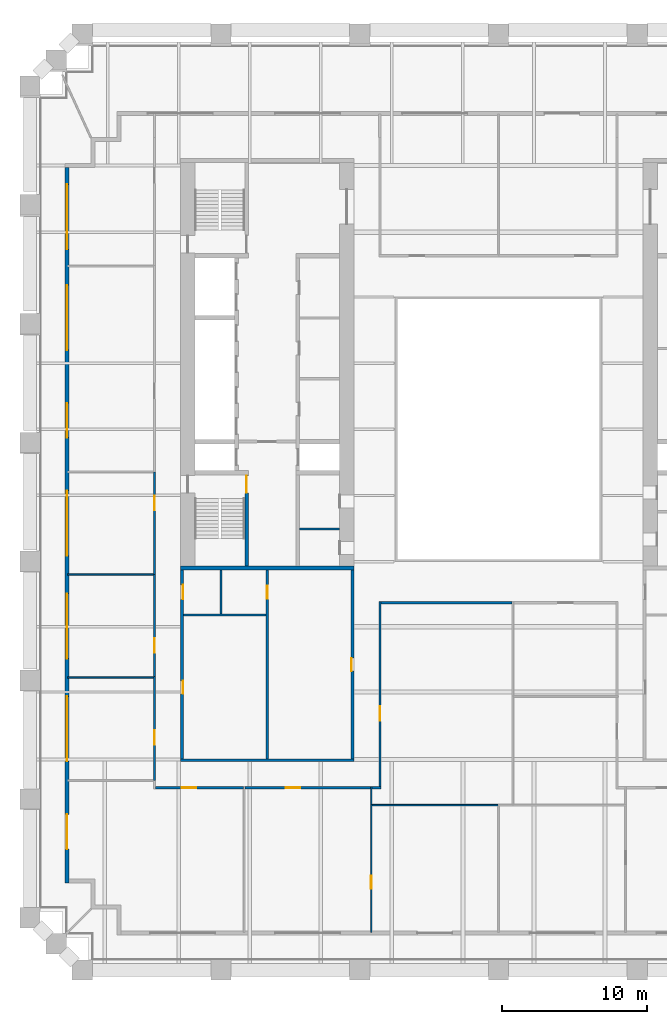
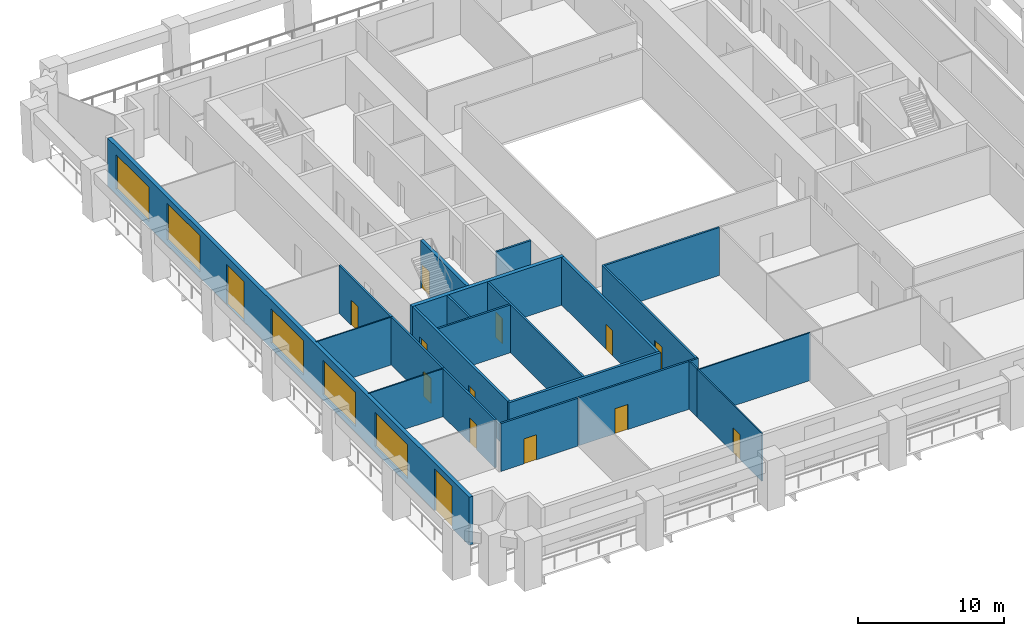
# One storey, part 3 of 10: 23 walls, 14 doors, 5 windows, 19 openings.
"""IFC4 building model written with IfcOpenShell, lengths in metres."""

from ifc_helpers import new_model, si_unit, direction, frame, frame_2d, origin, place, context, subcontext, project, spatial, rectangle, extrude, material, layer, layer_set, type_object, element, fill, save


model = new_model("IFC4")

# Units and contexts
model_context = context("Model", 3, precision=1e-05, world=origin(), true_north=direction((0.0, 1.0)))
body_context = subcontext(model_context, "Body", "Model", "MODEL_VIEW")
ifc_project = project(units=[si_unit("LENGTHUNIT", "METRE"), si_unit("AREAUNIT", "SQUARE_METRE"), si_unit("VOLUMEUNIT", "CUBIC_METRE"), si_unit("PLANEANGLEUNIT", "RADIAN"), si_unit("MASSUNIT", "GRAM", prefix="KILO")], contexts=[model_context])

# Site, building, storey
site_placement = place(None, origin())
site = spatial("IfcSite", under=ifc_project, at=site_placement, CompositionType="ELEMENT")
building_placement = place(site_placement, origin())
building = spatial("IfcBuilding", under=site, at=building_placement, Name="Ogive Exchange Tower", CompositionType="ELEMENT")
storey_placement = place(building_placement, frame((0.0, 0.0, 64.800048828125)))
storey = spatial("IfcBuildingStorey", under=building, at=storey_placement, Name="L13", CompositionType="ELEMENT", Elevation=64.800048828125)

# Wall
ifc_material_1 = material(Name="Gypsum board partition")
ifc_layer_1 = layer(ifc_material_1, 0.14990234375)
ifc_layer_set_1 = layer_set([ifc_layer_1], Name="Core room partition 150 gypsum")
wall_type_1 = type_object("IfcWallType", Name="Core room partition 150 gypsum", PredefinedType="PARTITIONING", material=ifc_layer_set_1)
wall_1_placement = place(storey_placement, frame((-13.75, 0.10009765625, 0.0), z_axis=(0.0, 0.0, 1.0), x_axis=(1.0, 0.0, 0.0)))
element("IfcWall", 1, at=wall_1_placement, inside=storey, type_object=wall_type_1, Name="W south room partition", PredefinedType="PARTITIONING", context=body_context, shape_type="SweptSolid", body=[
    extrude(rectangle(XDim=2.75, YDim=0.14990234375, at=frame_2d((1.375, 0.0))), origin(), (0.0, 0.0, 1.0), 4.0),
])

# Wall, opening, door
wall_2_placement = place(storey_placement, frame((-16.0, -15.800048828125, 0.0), z_axis=(0.0, 0.0, 1.0), x_axis=(0.0, 1.0, 0.0)))
wall_2 = element("IfcWall", 2, at=wall_2_placement, inside=storey, type_object=wall_type_1, Name="W annex S column wall", PredefinedType="PARTITIONING", context=body_context, shape_type="SweptSolid", body=[
    extrude(rectangle(XDim=13.050048828125, YDim=0.14990234375, at=frame_2d((6.52490234375, 0.0))), origin(), (0.0, 0.0, 1.0), 4.0),
])
opening_1_placement = place(wall_2_placement, frame((11.08740234375, 0.0, 0.0)))
opening_1 = element("IfcOpeningElement", 3, at=opening_1_placement, cuts=wall_2, Name="Opening L13-C22", PredefinedType="OPENING", context=body_context, shape_type="SweptSolid", body=[
    extrude(rectangle(XDim=0.89990234375, YDim=2.10009765625, at=frame_2d((0.449951171875, 1.050048828125))), frame((0.0, 0.0849609375, 0.0), z_axis=(0.0, -1.0, 0.0), x_axis=(1.0, 0.0, 0.0)), (0.0, 0.0, 1.0), 0.169921875),
])
ifc_material_2 = material(Name="Timber fire door", Category="wood")
door_type_1 = type_object("IfcDoorType", Name="Core room door FD30S 900 x 2100", OperationType="NOTDEFINED", PredefinedType="DOOR", material=ifc_material_2)
door_1_placement = place(opening_1_placement, origin())
door_1 = element("IfcDoor", 4, at=door_1_placement, inside=storey, type_object=door_type_1, Name="Core room door", ObjectType="CD6", OperationType="SINGLE_SWING_RIGHT", OverallHeight=2.10009765625, OverallWidth=0.89990234375, PredefinedType="DOOR", context=body_context, shape_type="SweptSolid", body=[
    extrude(rectangle(XDim=0.89990234375, YDim=2.10009765625, at=frame_2d((0.449951171875, 1.050048828125))), frame((0.0, 0.02490234375, 0.0), z_axis=(0.0, -1.0, 0.0), x_axis=(1.0, 0.0, 0.0)), (0.0, 0.0, 1.0), 0.050048828125),
])
fill(opening_1, door_1)

# Walls
wall_3_placement = place(storey_placement, frame((-21.800048828125, -5.85009765625, 0.0), z_axis=(0.0, 0.0, 1.0), x_axis=(1.0, 0.0, 0.0)))
element("IfcWall", 5, at=wall_3_placement, inside=storey, type_object=wall_type_1, Name="W annex S wc strip wall 00", PredefinedType="PARTITIONING", context=body_context, shape_type="SweptSolid", body=[
    extrude(rectangle(XDim=5.72509765625, YDim=0.14990234375, at=frame_2d((2.862548828125, 0.0))), origin(), (0.0, 0.0, 1.0), 4.0),
])
wall_4_placement = place(storey_placement, frame((-19.199951171875, -5.77490234375, 0.0), z_axis=(0.0, 0.0, 1.0), x_axis=(0.0, 1.0, 0.0)))
element("IfcWall", 6, at=wall_4_placement, inside=storey, type_object=wall_type_1, Name="W annex S wc partition 00", PredefinedType="PARTITIONING", context=body_context, shape_type="SweptSolid", body=[
    extrude(rectangle(XDim=3.02490234375, YDim=0.14990234375, at=frame_2d((1.512451171875, 0.0))), origin(), (0.0, 0.0, 1.0), 4.0),
])

# Wall, opening, door
ifc_material_3 = material(Name="Fire partition EI 60 150")
ifc_layer_2 = layer(ifc_material_3, 0.14990234375)
ifc_layer_set_2 = layer_set([ifc_layer_2], Name="Fire partition EI 60 150")
wall_type_2 = type_object("IfcWallType", Name="Fire partition EI 60 150", PredefinedType="PARTITIONING", material=ifc_layer_set_2)
wall_5_placement = place(storey_placement, frame((-23.800048828125, -17.2900390625, 0.0), z_axis=(0.0, 0.0, 1.0), x_axis=(0.0, 1.0, 0.0)))
wall_5 = element("IfcWall", 7, at=wall_5_placement, inside=storey, type_object=wall_type_2, Name="L13-PWL-003", PredefinedType="PARTITIONING", context=body_context, shape_type="SweptSolid", body=[
    extrude(rectangle(XDim=7.169921875, YDim=0.14990234375, at=frame_2d((3.5849609375, 0.0))), origin(), (0.0, 0.0, 1.0), 4.0),
])
opening_2_placement = place(wall_5_placement, frame((2.469970703125, 0.0, 0.0)))
opening_2 = element("IfcOpeningElement", 8, at=opening_2_placement, cuts=wall_5, Name="Opening L13-I17", PredefinedType="OPENING", context=body_context, shape_type="SweptSolid", body=[
    extrude(rectangle(XDim=1.0, YDim=2.10009765625, at=frame_2d((0.5, 1.050048828125))), frame((0.0, 0.0849609375, 0.0), z_axis=(0.0, -1.0, 0.0), x_axis=(1.0, 0.0, 0.0)), (0.0, 0.0, 1.0), 0.169921875),
])
ifc_material_4 = material(Name="Fire door FD 30S 1000 x 2100")
door_type_2 = type_object("IfcDoorType", Name="Fire door FD 30S 1000 x 2100", OperationType="NOTDEFINED", PredefinedType="DOOR", material=ifc_material_4)
door_2_placement = place(opening_2_placement, origin())
door_2 = element("IfcDoor", 9, at=door_2_placement, inside=storey, type_object=door_type_2, Name="L13-IDR-017", ObjectType="DT3", OperationType="SINGLE_SWING_RIGHT", OverallHeight=2.10009765625, OverallWidth=1.0, PredefinedType="DOOR", context=body_context, shape_type="SweptSolid", body=[
    extrude(rectangle(XDim=1.0, YDim=2.10009765625, at=frame_2d((0.5, 1.050048828125))), frame((0.0, 0.02490234375, 0.0), z_axis=(0.0, -1.0, 0.0), x_axis=(1.0, 0.0, 0.0)), (0.0, 0.0, 1.0), 0.050048828125),
])
fill(opening_2, door_2)

wall_6_placement = place(storey_placement, frame((-23.800048828125, -10.1201171875, 0.0), z_axis=(0.0, 0.0, 1.0), x_axis=(0.0, 1.0, 0.0)))
wall_6 = element("IfcWall", 10, at=wall_6_placement, inside=storey, type_object=wall_type_2, Name="L13-PWL-005", PredefinedType="PARTITIONING", context=body_context, shape_type="SweptSolid", body=[
    extrude(rectangle(XDim=7.06005859375, YDim=0.14990234375, at=frame_2d((3.530029296875, 0.0))), origin(), (0.0, 0.0, 1.0), 4.0),
])
opening_3_placement = place(wall_6_placement, frame((1.659912109375, 0.0, 0.0)))
opening_3 = element("IfcOpeningElement", 11, at=opening_3_placement, cuts=wall_6, Name="Opening L13-I15", PredefinedType="OPENING", context=body_context, shape_type="SweptSolid", body=[
    extrude(rectangle(XDim=1.0, YDim=2.10009765625, at=frame_2d((0.5, 1.050048828125))), frame((0.0, 0.0849609375, 0.0), z_axis=(0.0, -1.0, 0.0), x_axis=(1.0, 0.0, 0.0)), (0.0, 0.0, 1.0), 0.169921875),
])
door_3_placement = place(opening_3_placement, origin())
door_3 = element("IfcDoor", 12, at=door_3_placement, inside=storey, type_object=door_type_2, Name="L13-IDR-015", ObjectType="DT3", OperationType="SINGLE_SWING_RIGHT", OverallHeight=2.10009765625, OverallWidth=1.0, PredefinedType="DOOR", context=body_context, shape_type="SweptSolid", body=[
    extrude(rectangle(XDim=1.0, YDim=2.10009765625, at=frame_2d((0.5, 1.050048828125))), frame((0.0, 0.02490234375, 0.0), z_axis=(0.0, -1.0, 0.0), x_axis=(1.0, 0.0, 0.0)), (0.0, 0.0, 1.0), 0.050048828125),
])
fill(opening_3, door_3)

wall_7_placement = place(storey_placement, frame((-23.800048828125, -3.06005859375, 0.0), z_axis=(0.0, 0.0, 1.0), x_axis=(0.0, 1.0, 0.0)))
wall_7 = element("IfcWall", 13, at=wall_7_placement, inside=storey, type_object=wall_type_2, Name="L13-PWL-007", PredefinedType="PARTITIONING", context=body_context, shape_type="SweptSolid", body=[
    extrude(rectangle(XDim=7.1201171875, YDim=0.14990234375, at=frame_2d((3.56005859375, 0.0))), origin(), (0.0, 0.0, 1.0), 4.0),
])
opening_4_placement = place(wall_7_placement, frame((4.469970703125, 0.0, 0.0)))
opening_4 = element("IfcOpeningElement", 14, at=opening_4_placement, cuts=wall_7, Name="Opening L13-I14", PredefinedType="OPENING", context=body_context, shape_type="SweptSolid", body=[
    extrude(rectangle(XDim=1.0, YDim=2.10009765625, at=frame_2d((0.5, 1.050048828125))), frame((0.0, 0.0849609375, 0.0), z_axis=(0.0, -1.0, 0.0), x_axis=(1.0, 0.0, 0.0)), (0.0, 0.0, 1.0), 0.169921875),
])
door_4_placement = place(opening_4_placement, origin())
door_4 = element("IfcDoor", 15, at=door_4_placement, inside=storey, type_object=door_type_2, Name="L13-IDR-014", ObjectType="DT3", OperationType="SINGLE_SWING_LEFT", OverallHeight=2.10009765625, OverallWidth=1.0, PredefinedType="DOOR", context=body_context, shape_type="SweptSolid", body=[
    extrude(rectangle(XDim=1.0, YDim=2.10009765625, at=frame_2d((0.5, 1.050048828125))), frame((0.0, 0.02490234375, 0.0), z_axis=(0.0, -1.0, 0.0), x_axis=(1.0, 0.0, 0.0)), (0.0, 0.0, 1.0), 0.050048828125),
])
fill(opening_4, door_4)

wall_8_placement = place(storey_placement, frame((-17.64990234375, -17.800048828125, 0.0), z_axis=(0.0, 0.0, 1.0), x_axis=(-1.0, 0.0, 0.0)))
wall_8 = element("IfcWall", 16, at=wall_8_placement, inside=storey, type_object=wall_type_2, Name="L13-PWL-014", PredefinedType="PARTITIONING", context=body_context, shape_type="SweptSolid", body=[
    extrude(rectangle(XDim=6.0751953125, YDim=0.14990234375, at=frame_2d((3.03759765625, 0.0))), origin(), (0.0, 0.0, 1.0), 4.0),
])
opening_5_placement = place(wall_8_placement, frame((3.25, 0.0, 0.0)))
opening_5 = element("IfcOpeningElement", 17, at=opening_5_placement, cuts=wall_8, Name="Opening L13-I18", PredefinedType="OPENING", context=body_context, shape_type="SweptSolid", body=[
    extrude(rectangle(XDim=1.0, YDim=2.10009765625, at=frame_2d((0.5, 1.050048828125))), frame((0.0, 0.0849609375, 0.0), z_axis=(0.0, -1.0, 0.0), x_axis=(1.0, 0.0, 0.0)), (0.0, 0.0, 1.0), 0.169921875),
])
door_5_placement = place(opening_5_placement, origin())
door_5 = element("IfcDoor", 18, at=door_5_placement, inside=storey, type_object=door_type_2, Name="L13-IDR-018", ObjectType="DT3", OperationType="SINGLE_SWING_RIGHT", OverallHeight=2.10009765625, OverallWidth=1.0, PredefinedType="DOOR", context=body_context, shape_type="SweptSolid", body=[
    extrude(rectangle(XDim=1.0, YDim=2.10009765625, at=frame_2d((0.5, 1.050048828125))), frame((0.0, 0.02490234375, 0.0), z_axis=(0.0, -1.0, 0.0), x_axis=(1.0, 0.0, 0.0)), (0.0, 0.0, 1.0), 0.050048828125),
])
fill(opening_5, door_5)

wall_9_placement = place(storey_placement, frame((-8.85009765625, -17.800048828125, 0.0), z_axis=(0.0, 0.0, 1.0), x_axis=(-1.0, 0.0, 0.0)))
wall_9 = element("IfcWall", 19, at=wall_9_placement, inside=storey, type_object=wall_type_2, Name="L13-PWL-018", PredefinedType="PARTITIONING", context=body_context, shape_type="SweptSolid", body=[
    extrude(rectangle(XDim=8.699951171875, YDim=0.14990234375, at=frame_2d((4.35009765625, 0.0))), origin(), (0.0, 0.0, 1.0), 4.0),
])
opening_6_placement = place(wall_9_placement, frame((4.85009765625, 0.0, 0.0)))
opening_6 = element("IfcOpeningElement", 20, at=opening_6_placement, cuts=wall_9, Name="Opening L13-I16", PredefinedType="OPENING", context=body_context, shape_type="SweptSolid", body=[
    extrude(rectangle(XDim=1.0, YDim=2.10009765625, at=frame_2d((0.5, 1.050048828125))), frame((0.0, 0.0849609375, 0.0), z_axis=(0.0, -1.0, 0.0), x_axis=(1.0, 0.0, 0.0)), (0.0, 0.0, 1.0), 0.169921875),
])
door_6_placement = place(opening_6_placement, origin())
door_6 = element("IfcDoor", 21, at=door_6_placement, inside=storey, type_object=door_type_2, Name="L13-IDR-016", ObjectType="DT3", OperationType="SINGLE_SWING_LEFT", OverallHeight=2.10009765625, OverallWidth=1.0, PredefinedType="DOOR", context=body_context, shape_type="SweptSolid", body=[
    extrude(rectangle(XDim=1.0, YDim=2.10009765625, at=frame_2d((0.5, 1.050048828125))), frame((0.0, 0.02490234375, 0.0), z_axis=(0.0, -1.0, 0.0), x_axis=(1.0, 0.0, 0.0)), (0.0, 0.0, 1.0), 0.050048828125),
])
fill(opening_6, door_6)

# Wall
wall_10_placement = place(storey_placement, frame((-8.125, -17.800048828125, 0.0), z_axis=(0.0, 0.0, 1.0), x_axis=(-1.0, 0.0, 0.0)))
element("IfcWall", 22, at=wall_10_placement, inside=storey, type_object=wall_type_2, Name="L13-PWL-020", PredefinedType="PARTITIONING", context=body_context, shape_type="SweptSolid", body=[
    extrude(rectangle(XDim=0.625, YDim=0.14990234375, at=frame_2d((0.3125, 0.0))), origin(), (0.0, 0.0, 1.0), 4.0),
])

# Wall, opening, door
wall_11_placement = place(storey_placement, frame((-8.199951171875, -4.925048828125, 0.0), z_axis=(0.0, 0.0, 1.0), x_axis=(0.0, -1.0, 0.0)))
wall_11 = element("IfcWall", 23, at=wall_11_placement, inside=storey, type_object=wall_type_2, Name="L13-PWL-021", PredefinedType="PARTITIONING", context=body_context, shape_type="SweptSolid", body=[
    extrude(rectangle(XDim=12.800048828125, YDim=0.14990234375, at=frame_2d((6.39990234375, 0.0))), origin(), (0.0, 0.0, 1.0), 4.0),
])
opening_7_placement = place(wall_11_placement, frame((7.22509765625, 0.0, 0.0)))
opening_7 = element("IfcOpeningElement", 24, at=opening_7_placement, cuts=wall_11, Name="Opening L13-I09", PredefinedType="OPENING", context=body_context, shape_type="SweptSolid", body=[
    extrude(rectangle(XDim=1.0, YDim=2.10009765625, at=frame_2d((0.5, 1.050048828125))), frame((0.0, 0.0849609375, 0.0), z_axis=(0.0, -1.0, 0.0), x_axis=(1.0, 0.0, 0.0)), (0.0, 0.0, 1.0), 0.169921875),
])
door_7_placement = place(opening_7_placement, origin())
door_7 = element("IfcDoor", 25, at=door_7_placement, inside=storey, type_object=door_type_2, Name="L13-IDR-009", ObjectType="DT3", OperationType="SINGLE_SWING_RIGHT", OverallHeight=2.10009765625, OverallWidth=1.0, PredefinedType="DOOR", context=body_context, shape_type="SweptSolid", body=[
    extrude(rectangle(XDim=1.0, YDim=2.10009765625, at=frame_2d((0.5, 1.050048828125))), frame((0.0, 0.02490234375, 0.0), z_axis=(0.0, -1.0, 0.0), x_axis=(1.0, 0.0, 0.0)), (0.0, 0.0, 1.0), 0.050048828125),
])
fill(opening_7, door_7)

# Wall
wall_12_placement = place(storey_placement, frame((0.949951171875, -5.0, 0.0), z_axis=(0.0, 0.0, 1.0), x_axis=(-1.0, 0.0, 0.0)))
element("IfcWall", 26, at=wall_12_placement, inside=storey, type_object=wall_type_2, Name="L13-PWL-032", PredefinedType="PARTITIONING", context=body_context, shape_type="SweptSolid", body=[
    extrude(rectangle(XDim=9.074951171875, YDim=0.14990234375, at=frame_2d((4.53759765625, 0.0))), origin(), (0.0, 0.0, 1.0), 4.0),
])

# Wall, openings, doors, windows
ifc_material_5 = material(Name="Precast concrete C40/50", Category="concrete")
ifc_layer_3 = layer(ifc_material_5, 0.300048828125)
ifc_layer_set_3 = layer_set([ifc_layer_3], Name="Limestone-faced wall 300")
wall_type_3 = type_object("IfcWallType", Name="Limestone-faced wall 300", PredefinedType="STANDARD", material=ifc_layer_set_3)
wall_13_placement = place(storey_placement, frame((-29.85009765625, 25.10009765625, 0.0), z_axis=(0.0, 0.0, 1.0), x_axis=(0.0, -1.0, 0.0)))
wall_13 = element("IfcWall", 27, at=wall_13_placement, inside=storey, type_object=wall_type_3, Name="External wall W4", PredefinedType="STANDARD", context=body_context, shape_type="SweptSolid", body=[
    extrude(rectangle(XDim=49.5, YDim=0.300048828125, at=frame_2d((24.75, 0.0))), origin(), (0.0, 0.0, 1.0), 4.0),
])
opening_8_placement = place(wall_13_placement, frame((1.156982421875, 0.0, 0.449951171875)))
opening_8 = element("IfcOpeningElement", 28, at=opening_8_placement, cuts=wall_13, Name="Opening W1D", PredefinedType="OPENING", context=body_context, shape_type="SweptSolid", body=[
    extrude(rectangle(XDim=4.5, YDim=2.875, at=frame_2d((2.25, 1.4375))), frame((0.0, 0.159912109375, 0.0), z_axis=(0.0, -1.0, 0.0), x_axis=(1.0, 0.0, 0.0)), (0.0, 0.0, 1.0), 0.320068359375),
])
opening_9_placement = place(wall_13_placement, frame((8.121337890625, 0.0, 0.449951171875)))
opening_9 = element("IfcOpeningElement", 29, at=opening_9_placement, cuts=wall_13, Name="Opening W1", PredefinedType="OPENING", context=body_context, shape_type="SweptSolid", body=[
    extrude(rectangle(XDim=4.5, YDim=3.050048828125, at=frame_2d((2.25, 1.52490234375))), frame((0.0, 0.159912109375, 0.0), z_axis=(0.0, -1.0, 0.0), x_axis=(1.0, 0.0, 0.0)), (0.0, 0.0, 1.0), 0.320068359375),
])
opening_10_placement = place(wall_13_placement, frame((16.28564453125, 0.0, 0.0)))
opening_10 = element("IfcOpeningElement", 30, at=opening_10_placement, cuts=wall_13, Name="Opening D1C", PredefinedType="OPENING", context=body_context, shape_type="SweptSolid", body=[
    extrude(rectangle(XDim=2.39990234375, YDim=3.324951171875, at=frame_2d((1.199951171875, 1.66259765625))), frame((0.0, 0.159912109375, 0.0), z_axis=(0.0, -1.0, 0.0), x_axis=(1.0, 0.0, 0.0)), (0.0, 0.0, 1.0), 0.320068359375),
])
opening_11_placement = place(wall_13_placement, frame((22.35009765625, 0.0, 0.449951171875)))
opening_11 = element("IfcOpeningElement", 31, at=opening_11_placement, cuts=wall_13, Name="Opening W1D", PredefinedType="OPENING", context=body_context, shape_type="SweptSolid", body=[
    extrude(rectangle(XDim=4.5, YDim=2.875, at=frame_2d((2.25, 1.4375))), frame((0.0, 0.159912109375, 0.0), z_axis=(0.0, -1.0, 0.0), x_axis=(1.0, 0.0, 0.0)), (0.0, 0.0, 1.0), 0.320068359375),
])
opening_12_placement = place(wall_13_placement, frame((29.464111328125, 0.0, 0.449951171875)))
opening_12 = element("IfcOpeningElement", 32, at=opening_12_placement, cuts=wall_13, Name="Opening W1D", PredefinedType="OPENING", context=body_context, shape_type="SweptSolid", body=[
    extrude(rectangle(XDim=4.5, YDim=2.875, at=frame_2d((2.25, 1.4375))), frame((0.0, 0.159912109375, 0.0), z_axis=(0.0, -1.0, 0.0), x_axis=(1.0, 0.0, 0.0)), (0.0, 0.0, 1.0), 0.320068359375),
])
opening_13_placement = place(wall_13_placement, frame((36.57861328125, 0.0, 0.449951171875)))
opening_13 = element("IfcOpeningElement", 33, at=opening_13_placement, cuts=wall_13, Name="Opening W1E", PredefinedType="OPENING", context=body_context, shape_type="SweptSolid", body=[
    extrude(rectangle(XDim=4.5, YDim=2.824951171875, at=frame_2d((2.25, 1.41259765625))), frame((0.0, 0.159912109375, 0.0), z_axis=(0.0, -1.0, 0.0), x_axis=(1.0, 0.0, 0.0)), (0.0, 0.0, 1.0), 0.320068359375),
])
opening_14_placement = place(wall_13_placement, frame((44.742919921875, 0.0, 0.0)))
opening_14 = element("IfcOpeningElement", 34, at=opening_14_placement, cuts=wall_13, Name="Opening D1", PredefinedType="OPENING", context=body_context, shape_type="SweptSolid", body=[
    extrude(rectangle(XDim=2.39990234375, YDim=3.5, at=frame_2d((1.199951171875, 1.75))), frame((0.0, 0.159912109375, 0.0), z_axis=(0.0, -1.0, 0.0), x_axis=(1.0, 0.0, 0.0)), (0.0, 0.0, 1.0), 0.320068359375),
])
ifc_material_6 = material(Name="Clear glass in bronze frame", Category="glass")
door_type_3 = type_object("IfcDoorType", Name="Sliding loggia door 2400 x 3325", OperationType="DOUBLE_DOOR_SLIDING", PredefinedType="DOOR", material=ifc_material_6)
door_8_placement = place(opening_10_placement, origin())
door_8 = element("IfcDoor", 35, at=door_8_placement, inside=storey, type_object=door_type_3, Name="Loggia door W02", OperationType="DOUBLE_DOOR_SLIDING", OverallHeight=3.324951171875, OverallWidth=2.39990234375, PredefinedType="DOOR", context=body_context, shape_type="SweptSolid", body=[
    extrude(rectangle(XDim=2.39990234375, YDim=3.324951171875, at=frame_2d((1.199951171875, 1.66259765625))), frame((0.0, 0.02490234375, 0.0), z_axis=(0.0, -1.0, 0.0), x_axis=(1.0, 0.0, 0.0)), (0.0, 0.0, 1.0), 0.050048828125),
])
fill(opening_10, door_8)
door_type_4 = type_object("IfcDoorType", Name="Sliding loggia door 2400 x 3500", OperationType="DOUBLE_DOOR_SLIDING", PredefinedType="DOOR", material=ifc_material_6)
door_9_placement = place(opening_14_placement, origin())
door_9 = element("IfcDoor", 36, at=door_9_placement, inside=storey, type_object=door_type_4, Name="Loggia door W06", OperationType="DOUBLE_DOOR_SLIDING", OverallHeight=3.5, OverallWidth=2.39990234375, PredefinedType="DOOR", context=body_context, shape_type="SweptSolid", body=[
    extrude(rectangle(XDim=2.39990234375, YDim=3.5, at=frame_2d((1.199951171875, 1.75))), frame((0.0, 0.02490234375, 0.0), z_axis=(0.0, -1.0, 0.0), x_axis=(1.0, 0.0, 0.0)), (0.0, 0.0, 1.0), 0.050048828125),
])
fill(opening_14, door_9)
window_type_1 = type_object("IfcWindowType", Name="Twin lancet window 4500 x 2825", PartitioningType="DOUBLE_PANEL_VERTICAL", PredefinedType="WINDOW", material=ifc_material_6)
window_1_placement = place(opening_13_placement, origin())
window_1 = element("IfcWindow", 37, at=window_1_placement, inside=storey, type_object=window_type_1, Name="Window W05", OverallHeight=2.824951171875, OverallWidth=4.5, PartitioningType="DOUBLE_PANEL_VERTICAL", PredefinedType="WINDOW", context=body_context, shape_type="SweptSolid", body=[
    extrude(rectangle(XDim=4.5, YDim=2.824951171875, at=frame_2d((2.25, 1.41259765625))), frame((0.0, 0.030029296875, 0.0), z_axis=(0.0, -1.0, 0.0), x_axis=(1.0, 0.0, 0.0)), (0.0, 0.0, 1.0), 0.06005859375),
])
fill(opening_13, window_1)
window_type_2 = type_object("IfcWindowType", Name="Twin lancet window 4500 x 2875", PartitioningType="DOUBLE_PANEL_VERTICAL", PredefinedType="WINDOW", material=ifc_material_6)
window_2_placement = place(opening_8_placement, origin())
window_2 = element("IfcWindow", 38, at=window_2_placement, inside=storey, type_object=window_type_2, Name="Window W00", OverallHeight=2.875, OverallWidth=4.5, PartitioningType="DOUBLE_PANEL_VERTICAL", PredefinedType="WINDOW", context=body_context, shape_type="SweptSolid", body=[
    extrude(rectangle(XDim=4.5, YDim=2.875, at=frame_2d((2.25, 1.4375))), frame((0.0, 0.030029296875, 0.0), z_axis=(0.0, -1.0, 0.0), x_axis=(1.0, 0.0, 0.0)), (0.0, 0.0, 1.0), 0.06005859375),
])
fill(opening_8, window_2)
window_3_placement = place(opening_11_placement, origin())
window_3 = element("IfcWindow", 39, at=window_3_placement, inside=storey, type_object=window_type_2, Name="Window W03", OverallHeight=2.875, OverallWidth=4.5, PartitioningType="DOUBLE_PANEL_VERTICAL", PredefinedType="WINDOW", context=body_context, shape_type="SweptSolid", body=[
    extrude(rectangle(XDim=4.5, YDim=2.875, at=frame_2d((2.25, 1.4375))), frame((0.0, 0.030029296875, 0.0), z_axis=(0.0, -1.0, 0.0), x_axis=(1.0, 0.0, 0.0)), (0.0, 0.0, 1.0), 0.06005859375),
])
fill(opening_11, window_3)
window_4_placement = place(opening_12_placement, origin())
window_4 = element("IfcWindow", 40, at=window_4_placement, inside=storey, type_object=window_type_2, Name="Window W04", OverallHeight=2.875, OverallWidth=4.5, PartitioningType="DOUBLE_PANEL_VERTICAL", PredefinedType="WINDOW", context=body_context, shape_type="SweptSolid", body=[
    extrude(rectangle(XDim=4.5, YDim=2.875, at=frame_2d((2.25, 1.4375))), frame((0.0, 0.030029296875, 0.0), z_axis=(0.0, -1.0, 0.0), x_axis=(1.0, 0.0, 0.0)), (0.0, 0.0, 1.0), 0.06005859375),
])
fill(opening_12, window_4)
window_type_3 = type_object("IfcWindowType", Name="Twin lancet window 4500 x 3050", PartitioningType="DOUBLE_PANEL_VERTICAL", PredefinedType="WINDOW", material=ifc_material_6)
window_5_placement = place(opening_9_placement, origin())
window_5 = element("IfcWindow", 41, at=window_5_placement, inside=storey, type_object=window_type_3, Name="Window W01", OverallHeight=3.050048828125, OverallWidth=4.5, PartitioningType="DOUBLE_PANEL_VERTICAL", PredefinedType="WINDOW", context=body_context, shape_type="SweptSolid", body=[
    extrude(rectangle(XDim=4.5, YDim=3.050048828125, at=frame_2d((2.25, 1.52490234375))), frame((0.0, 0.030029296875, 0.0), z_axis=(0.0, -1.0, 0.0), x_axis=(1.0, 0.0, 0.0)), (0.0, 0.0, 1.0), 0.06005859375),
])
fill(opening_9, window_5)

# Walls
ifc_material_7 = material(Name="Partition 100 gypsum")
ifc_layer_4 = layer(ifc_material_7, 0.10009765625)
ifc_layer_set_4 = layer_set([ifc_layer_4], Name="Partition 100 gypsum")
wall_type_4 = type_object("IfcWallType", Name="Partition 100 gypsum", PredefinedType="PARTITIONING", material=ifc_layer_set_4)
for number, where, z_axis, x_axis, name in (
    (42, (-23.875, -10.169921875, 0.0), (0.0, 0.0, 1.0), (-1.0, 0.0, 0.0), "L13-PWL-004"),
    (43, (-23.875, -3.06005859375, 0.0), (0.0, 0.0, 1.0), (-1.0, 0.0, 0.0), "L13-PWL-006"),
):
    element("IfcWall", number, at=place(storey_placement, frame(where, z_axis=z_axis, x_axis=x_axis)), inside=storey, type_object=wall_type_4, Name=name, PredefinedType="PARTITIONING", context=body_context, shape_type="SweptSolid", body=[
        extrude(rectangle(XDim=5.925048828125, YDim=0.10009765625, at=frame_2d((2.96240234375, 0.0))), origin(), (0.0, 0.0, 1.0), 4.0),
    ])

# Wall, opening, door
wall_14_placement = place(storey_placement, frame((-8.800048828125, -27.800048828125, 0.0), z_axis=(0.0, 0.0, 1.0), x_axis=(0.0, 1.0, 0.0)))
wall_14 = element("IfcWall", 44, at=wall_14_placement, inside=storey, type_object=wall_type_4, Name="L13-PWL-015", PredefinedType="PARTITIONING", context=body_context, shape_type="SweptSolid", body=[
    extrude(rectangle(XDim=8.85009765625, YDim=0.10009765625, at=frame_2d((4.425048828125, 0.0))), origin(), (0.0, 0.0, 1.0), 4.0),
])
opening_15_placement = place(wall_14_placement, frame((3.0, 0.0, 0.0)))
opening_15 = element("IfcOpeningElement", 45, at=opening_15_placement, cuts=wall_14, Name="Opening L13-I05", PredefinedType="OPENING", context=body_context, shape_type="SweptSolid", body=[
    extrude(rectangle(XDim=0.89990234375, YDim=2.10009765625, at=frame_2d((0.449951171875, 1.050048828125))), frame((0.0, 0.06005859375, 0.0), z_axis=(0.0, -1.0, 0.0), x_axis=(1.0, 0.0, 0.0)), (0.0, 0.0, 1.0), 0.1201171875),
])
ifc_material_8 = material(Name="Door 900 x 2100")
door_type_5 = type_object("IfcDoorType", Name="Door 900 x 2100", OperationType="NOTDEFINED", PredefinedType="DOOR", material=ifc_material_8)
door_10_placement = place(opening_15_placement, frame((0.89990234375, 0.0, 0.0), z_axis=(0.0, 0.0, 1.0), x_axis=(-1.0, 0.0, 0.0)))
door_10 = element("IfcDoor", 46, at=door_10_placement, inside=storey, type_object=door_type_5, Name="L13-IDR-005", ObjectType="DT1", OperationType="SINGLE_SWING_LEFT", OverallHeight=2.10009765625, OverallWidth=0.89990234375, PredefinedType="DOOR", context=body_context, shape_type="SweptSolid", body=[
    extrude(rectangle(XDim=0.89990234375, YDim=2.10009765625, at=frame_2d((0.449951171875, 1.050048828125))), frame((0.0, 0.02490234375, 0.0), z_axis=(0.0, -1.0, 0.0), x_axis=(1.0, 0.0, 0.0)), (0.0, 0.0, 1.0), 0.050048828125),
])
fill(opening_15, door_10)

# Walls
wall_15_placement = place(storey_placement, frame((-8.800048828125, -18.949951171875, 0.0), z_axis=(0.0, 0.0, 1.0), x_axis=(0.0, 1.0, 0.0)))
element("IfcWall", 47, at=wall_15_placement, inside=storey, type_object=wall_type_4, Name="L13-PWL-016", PredefinedType="PARTITIONING", context=body_context, shape_type="SweptSolid", body=[
    extrude(rectangle(XDim=1.224853515625, YDim=0.10009765625, at=frame_2d((0.6123046875, 0.0))), origin(), (0.0, 0.0, 1.0), 4.0),
])
wall_16_placement = place(storey_placement, frame((-8.75, -19.0, 0.0), z_axis=(0.0, 0.0, 1.0), x_axis=(1.0, 0.0, 0.0)))
element("IfcWall", 48, at=wall_16_placement, inside=storey, type_object=wall_type_4, Name="L13-PWL-017", PredefinedType="PARTITIONING", context=body_context, shape_type="SweptSolid", body=[
    extrude(rectangle(XDim=8.800048828125, YDim=0.10009765625, at=frame_2d((4.39990234375, 0.0))), origin(), (0.0, 0.0, 1.0), 4.0),
])

# Wall, openings, doors
ifc_material_9 = material(Name="Concrete C70/85", Category="concrete")
ifc_layer_5 = layer(ifc_material_9, 0.199951171875)
ifc_layer_set_5 = layer_set([ifc_layer_5], Name="RC core wall 200 C70/85")
wall_type_5 = type_object("IfcWallType", Name="RC core wall 200 C70/85", PredefinedType="SHEAR", material=ifc_layer_set_5)
wall_17_placement = place(storey_placement, frame((-21.89990234375, -15.800048828125, 0.0), z_axis=(0.0, 0.0, 1.0), x_axis=(0.0, 1.0, 0.0)))
wall_17 = element("IfcWall", 49, at=wall_17_placement, inside=storey, type_object=wall_type_5, Name="W annex S outer wall", PredefinedType="SHEAR", context=body_context, shape_type="SweptSolid", body=[
    extrude(rectangle(XDim=13.050048828125, YDim=0.199951171875, at=frame_2d((6.52490234375, 0.0))), origin(), (0.0, 0.0, 1.0), 4.0),
])
opening_16_placement = place(wall_17_placement, frame((4.487548828125, 0.0, 0.0)))
opening_16 = element("IfcOpeningElement", 50, at=opening_16_placement, cuts=wall_17, Name="Opening L13-C20", PredefinedType="OPENING", context=body_context, shape_type="SweptSolid", body=[
    extrude(rectangle(XDim=0.89990234375, YDim=2.10009765625, at=frame_2d((0.449951171875, 1.050048828125))), frame((0.0, 0.10986328125, 0.0), z_axis=(0.0, -1.0, 0.0), x_axis=(1.0, 0.0, 0.0)), (0.0, 0.0, 1.0), 0.219970703125),
])
opening_17_placement = place(wall_17_placement, frame((11.03759765625, 0.0, 0.0)))
opening_17 = element("IfcOpeningElement", 51, at=opening_17_placement, cuts=wall_17, Name="Opening L13-C21", PredefinedType="OPENING", context=body_context, shape_type="SweptSolid", body=[
    extrude(rectangle(XDim=1.0, YDim=2.10009765625, at=frame_2d((0.5, 1.050048828125))), frame((0.0, 0.10986328125, 0.0), z_axis=(0.0, -1.0, 0.0), x_axis=(1.0, 0.0, 0.0)), (0.0, 0.0, 1.0), 0.219970703125),
])
door_type_6 = type_object("IfcDoorType", Name="Accessible WC door FD30S 1000 x 2100", OperationType="NOTDEFINED", PredefinedType="DOOR", material=ifc_material_2)
door_11_placement = place(opening_17_placement, frame((1.0, -0.14990234375, 0.0), z_axis=(0.0, 0.0, 1.0), x_axis=(-1.0, 0.0, 0.0)))
door_11 = element("IfcDoor", 52, at=door_11_placement, inside=storey, type_object=door_type_6, Name="Accessible WC door", ObjectType="CD7", OperationType="SINGLE_SWING_LEFT", OverallHeight=2.10009765625, OverallWidth=1.0, PredefinedType="DOOR", context=body_context, shape_type="SweptSolid", body=[
    extrude(rectangle(XDim=1.0, YDim=2.10009765625, at=frame_2d((0.5, 1.050048828125))), frame((0.0, -0.0498046875, 0.0), z_axis=(0.0, -1.0, 0.0), x_axis=(1.0, 0.0, 0.0)), (0.0, 0.0, 1.0), 0.050048828125),
])
fill(opening_17, door_11)
ifc_material_10 = material(Name="Steel fire door", Category="steel")
door_type_7 = type_object("IfcDoorType", Name="Riser door FD60 900 x 2100", OperationType="NOTDEFINED", PredefinedType="DOOR", material=ifc_material_10)
door_12_placement = place(opening_16_placement, frame((0.89990234375, -0.14990234375, 0.0), z_axis=(0.0, 0.0, 1.0), x_axis=(-1.0, 0.0, 0.0)))
door_12 = element("IfcDoor", 53, at=door_12_placement, inside=storey, type_object=door_type_7, Name="Riser door", ObjectType="CD2", OperationType="SINGLE_SWING_LEFT", OverallHeight=2.10009765625, OverallWidth=0.89990234375, PredefinedType="DOOR", context=body_context, shape_type="SweptSolid", body=[
    extrude(rectangle(XDim=0.89990234375, YDim=2.10009765625, at=frame_2d((0.449951171875, 1.050048828125))), frame((0.0, -0.0498046875, 0.0), z_axis=(0.0, -1.0, 0.0), x_axis=(1.0, 0.0, 0.0)), (0.0, 0.0, 1.0), 0.050048828125),
])
fill(opening_16, door_12)

# Wall, opening, door
wall_18_placement = place(storey_placement, frame((-10.10009765625, -15.800048828125, 0.0), z_axis=(0.0, 0.0, 1.0), x_axis=(0.0, 1.0, 0.0)))
wall_18 = element("IfcWall", 54, at=wall_18_placement, inside=storey, type_object=wall_type_5, Name="W annex S inner wall", PredefinedType="SHEAR", context=body_context, shape_type="SweptSolid", body=[
    extrude(rectangle(XDim=13.050048828125, YDim=0.199951171875, at=frame_2d((6.52490234375, 0.0))), origin(), (0.0, 0.0, 1.0), 4.0),
])
opening_18_placement = place(wall_18_placement, frame((6.074951171875, 0.0, 0.0)))
opening_18 = element("IfcOpeningElement", 55, at=opening_18_placement, cuts=wall_18, Name="Opening L13-C23", PredefinedType="OPENING", context=body_context, shape_type="SweptSolid", body=[
    extrude(rectangle(XDim=0.89990234375, YDim=2.10009765625, at=frame_2d((0.449951171875, 1.050048828125))), frame((0.0, 0.10986328125, 0.0), z_axis=(0.0, -1.0, 0.0), x_axis=(1.0, 0.0, 0.0)), (0.0, 0.0, 1.0), 0.219970703125),
])
door_13_placement = place(opening_18_placement, origin())
door_13 = element("IfcDoor", 56, at=door_13_placement, inside=storey, type_object=door_type_7, Name="Riser door", ObjectType="CD2", OperationType="SINGLE_SWING_RIGHT", OverallHeight=2.10009765625, OverallWidth=0.89990234375, PredefinedType="DOOR", context=body_context, shape_type="SweptSolid", body=[
    extrude(rectangle(XDim=0.89990234375, YDim=2.10009765625, at=frame_2d((0.449951171875, 1.050048828125))), frame((0.0, 0.10009765625, 0.0), z_axis=(0.0, -1.0, 0.0), x_axis=(1.0, 0.0, 0.0)), (0.0, 0.0, 1.0), 0.050048828125),
])
fill(opening_18, door_13)

# Wall
wall_19_placement = place(storey_placement, frame((-22.0, -15.89990234375, 0.0), z_axis=(0.0, 0.0, 1.0), x_axis=(1.0, 0.0, 0.0)))
element("IfcWall", 57, at=wall_19_placement, inside=storey, type_object=wall_type_5, Name="W annex S end wall", PredefinedType="SHEAR", context=body_context, shape_type="SweptSolid", body=[
    extrude(rectangle(XDim=12.0, YDim=0.199951171875, at=frame_2d((6.0, 0.0))), origin(), (0.0, 0.0, 1.0), 4.0),
])

# Wall, opening, door
ifc_layer_6 = layer(ifc_material_9, 0.25)
ifc_layer_set_6 = layer_set([ifc_layer_6], Name="RC core wall 250 C70/85")
wall_type_6 = type_object("IfcWallType", Name="RC core wall 250 C70/85", PredefinedType="SHEAR", material=ifc_layer_set_6)
wall_20_placement = place(storey_placement, frame((-17.425048828125, -2.449951171875, 0.0), z_axis=(0.0, 0.0, 1.0), x_axis=(0.0, 1.0, 0.0)))
wall_20 = element("IfcWall", 58, at=wall_20_placement, inside=storey, type_object=wall_type_6, Name="W stair S front wall", PredefinedType="SHEAR", context=body_context, shape_type="SweptSolid", body=[
    extrude(rectangle(XDim=6.300048828125, YDim=0.25, at=frame_2d((3.14990234375, 0.0))), origin(), (0.0, 0.0, 1.0), 4.0),
])
opening_19_placement = place(wall_20_placement, frame((5.050048828125, 0.0, 0.0)))
opening_19 = element("IfcOpeningElement", 59, at=opening_19_placement, cuts=wall_20, Name="Opening L13-C14", PredefinedType="OPENING", context=body_context, shape_type="SweptSolid", body=[
    extrude(rectangle(XDim=1.199951171875, YDim=2.10009765625, at=frame_2d((0.60009765625, 1.050048828125))), frame((0.0, 0.135009765625, 0.0), z_axis=(0.0, -1.0, 0.0), x_axis=(1.0, 0.0, 0.0)), (0.0, 0.0, 1.0), 0.27001953125),
])
door_type_8 = type_object("IfcDoorType", Name="Stair door FD90 1200 x 2100", OperationType="NOTDEFINED", PredefinedType="DOOR", material=ifc_material_10)
door_14_placement = place(opening_19_placement, origin())
door_14 = element("IfcDoor", 60, at=door_14_placement, inside=storey, type_object=door_type_8, Name="Stair door", ObjectType="CD5", OperationType="SINGLE_SWING_LEFT", OverallHeight=2.10009765625, OverallWidth=1.199951171875, PredefinedType="DOOR", context=body_context, shape_type="SweptSolid", body=[
    extrude(rectangle(XDim=1.199951171875, YDim=2.10009765625, at=frame_2d((0.60009765625, 1.050048828125))), frame((0.0, 0.02490234375, 0.0), z_axis=(0.0, -1.0, 0.0), x_axis=(1.0, 0.0, 0.0)), (0.0, 0.0, 1.0), 0.050048828125),
])
fill(opening_19, door_14)

# Wall
ifc_layer_7 = layer(ifc_material_9, 0.300048828125)
ifc_layer_set_7 = layer_set([ifc_layer_7], Name="RC core wall 300 C70/85")
wall_type_7 = type_object("IfcWallType", Name="RC core wall 300 C70/85", PredefinedType="SHEAR", material=ifc_layer_set_7)
wall_21_placement = place(storey_placement, frame((-22.0, -2.60009765625, 0.0), z_axis=(0.0, 0.0, 1.0), x_axis=(1.0, 0.0, 0.0)))
element("IfcWall", 61, at=wall_21_placement, inside=storey, type_object=wall_type_7, Name="W south end wall", PredefinedType="SHEAR", context=body_context, shape_type="SweptSolid", body=[
    extrude(rectangle(XDim=12.0, YDim=0.300048828125, at=frame_2d((6.0, 0.0))), origin(), (0.0, 0.0, 1.0), 4.0),
])

save(model, "model.ifc")
